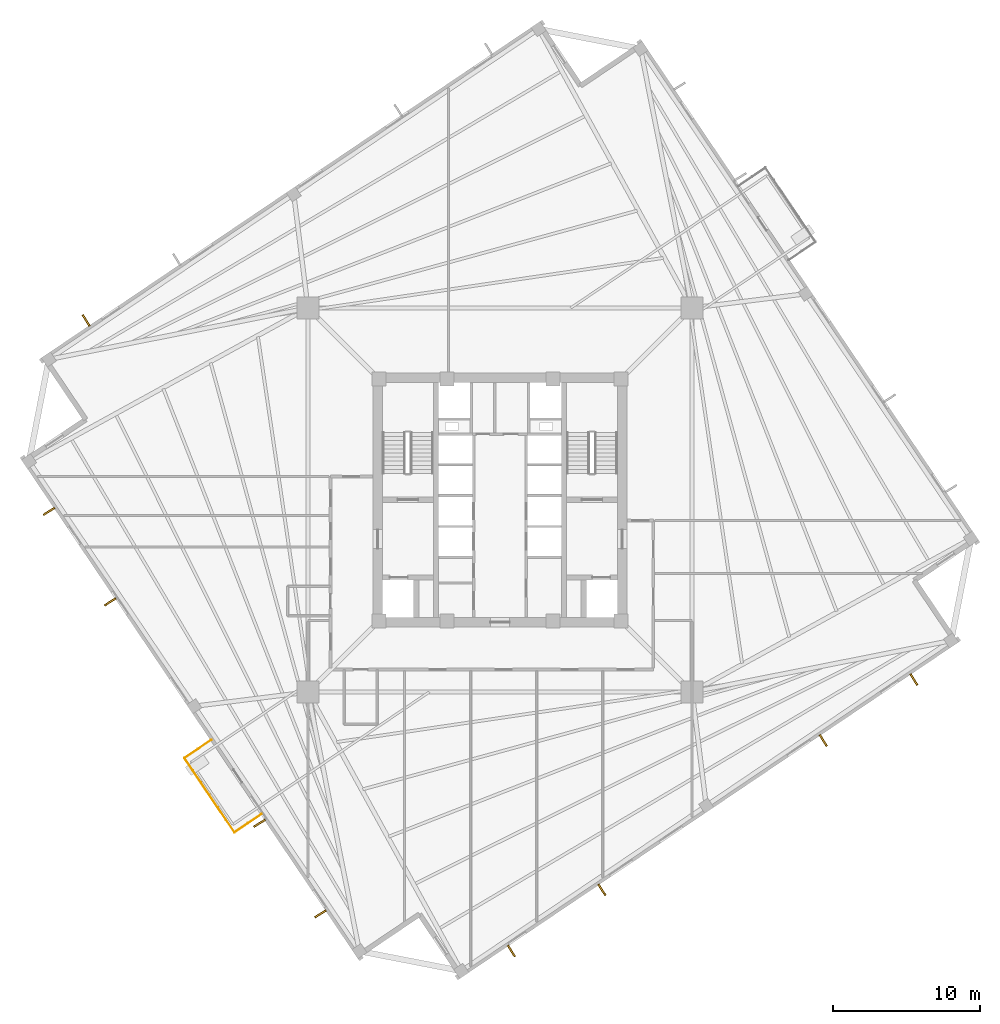
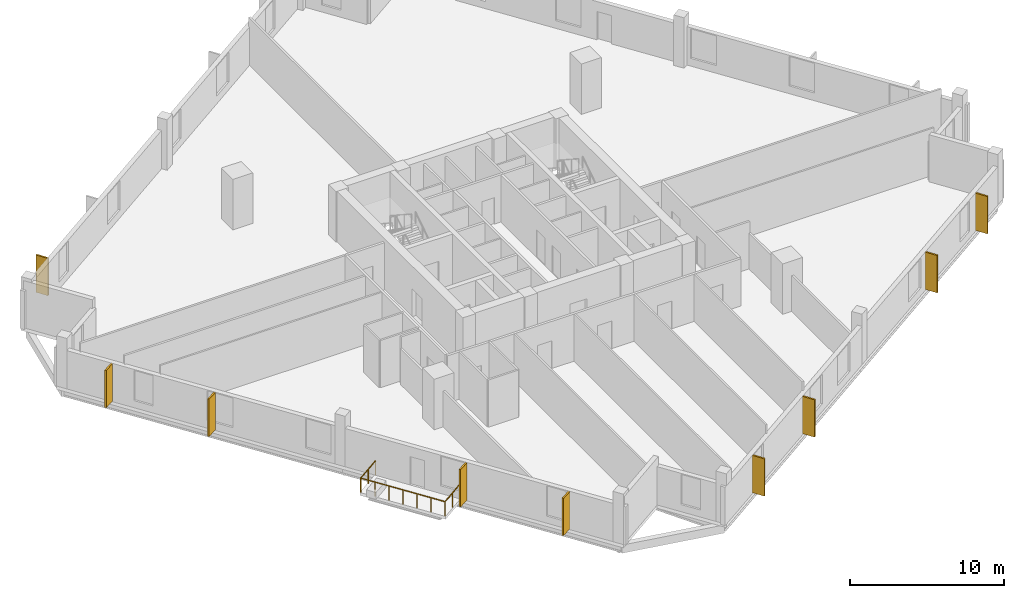
# One storey, part 7 of 9: 9 coverings, 3 railings.
"""IFC4 building model written with IfcOpenShell, lengths in metres."""

from ifc_helpers import new_model, si_unit, direction, frame, origin, origin_2d, place, context, subcontext, project, spatial, rectangle, circle, extrude, source, transform, mapped, material, layer, layer_set, type_object, element, save


model = new_model("IFC4")

# Units and contexts
model_context = context("Model", 3, precision=1e-05, world=origin(), true_north=direction((0.0, 1.0)))
body_context = subcontext(model_context, "Body", "Model", "MODEL_VIEW")
ifc_project = project(units=[si_unit("LENGTHUNIT", "METRE"), si_unit("AREAUNIT", "SQUARE_METRE"), si_unit("VOLUMEUNIT", "CUBIC_METRE"), si_unit("PLANEANGLEUNIT", "RADIAN"), si_unit("MASSUNIT", "GRAM", prefix="KILO"), si_unit("THERMODYNAMICTEMPERATUREUNIT", "KELVIN")], contexts=[model_context])

# Site, building, storey
site_placement = place(None, origin())
site = spatial("IfcSite", under=ifc_project, at=site_placement, CompositionType="ELEMENT")
building_placement = place(site_placement, origin())
building = spatial("IfcBuilding", under=site, at=building_placement, Name="Kosmvard Interchange Tower", CompositionType="ELEMENT")
storey_placement = place(building_placement, frame((0.0, 0.0, 156.39990234375)))
storey = spatial("IfcBuildingStorey", under=building, at=storey_placement, Name="L37", CompositionType="ELEMENT", Elevation=156.39990234375)

# Coverings
ifc_material_1 = material(Name="Architectural anodised aluminium", Category="aluminium")
ifc_layer = layer(ifc_material_1, 0.1201171875, Name="Architectural anodised aluminium")
ifc_layer_set = layer_set([ifc_layer], Name="Architectural anodised aluminium")
covering_type = type_object("IfcCoveringType", Name="Rotating Vertical Sun-Breaker Fin 900x120 Aluminium", PredefinedType="CLADDING", material=ifc_layer_set)
shared_shape_1 = source(origin(), body_context, "Body", "SweptSolid", [
    extrude(rectangle(XDim=0.89990234375, YDim=0.1201171875, at=origin_2d()), origin(), (0.0, 0.0, 1.0), 2.9599609375),
])
for number, where, z_axis, x_axis, name in (
    (1, (0.774169921875, -30.718994140625, 0.0400390625), (0.0, 0.0, 1.0), (0.536121488374, -0.844140835231, 0.0), "L37 Rotating Vertical Sun-Breaker Fin 01"),
    (2, (6.943115234375, -26.557861328125, 0.0400390625), (0.0, 0.0, 1.0), (0.536121488374, -0.844140835231, 0.0), "L37 Rotating Vertical Sun-Breaker Fin 02"),
    (3, (22.02294921875, -16.38623046875, 0.0400390625), (0.0, 0.0, 1.0), (0.536121488374, -0.844140835231, 0.0), "L37 Rotating Vertical Sun-Breaker Fin 03"),
    (4, (28.192138671875, -12.225341796875, 0.0400390625), (0.0, 0.0, 1.0), (0.536121488374, -0.844140835231, 0.0), "L37 Rotating Vertical Sun-Breaker Fin 04"),
    (5, (-28.192138671875, 12.225341796875, 0.0400390625), (0.0, 0.0, 1.0), (-0.536121488374, 0.844140835231, 0.0), "L37 Rotating Vertical Sun-Breaker Fin 12"),
    (6, (-30.718994140625, -0.774169921875, 0.0400390625), (0.0, 0.0, 1.0), (-0.844140835231, -0.536121488374, 0.0), "L37 Rotating Vertical Sun-Breaker Fin 13"),
    (7, (-26.557861328125, -6.943115234375, 0.0400390625), (0.0, 0.0, 1.0), (-0.844140835231, -0.536121488374, 0.0), "L37 Rotating Vertical Sun-Breaker Fin 14"),
    (8, (-16.38623046875, -22.02294921875, 0.0400390625), (0.0, 0.0, 1.0), (-0.844140835231, -0.536121488374, 0.0), "L37 Rotating Vertical Sun-Breaker Fin 15"),
    (9, (-12.225341796875, -28.192138671875, 0.0400390625), (0.0, 0.0, 1.0), (-0.844140835231, -0.536121488374, 0.0), "L37 Rotating Vertical Sun-Breaker Fin 16"),
):
    element("IfcCovering", number, at=place(storey_placement, frame(where, z_axis=z_axis, x_axis=x_axis)), inside=storey, type_object=covering_type, Name=name, PredefinedType="CLADDING", context=body_context, shape_type="MappedRepresentation", body=[
        mapped(shared_shape_1, transform((0.0, 0.0, 0.0), scale=1.0)),
    ])

# Railings
ifc_material_2 = material(Name="Steel S355", Category="steel")
railing_type = type_object("IfcRailingType", Name="Observation & Balcony Glass-Infill Balustrade 1150", PredefinedType="BALUSTRADE", material=ifc_material_2)
shared_shape_2 = source(origin(), body_context, "Body", "SweptSolid", [
    extrude(circle(Radius=0.02392578125, at=origin_2d()), frame((0.0, 0.0, 1.1259765625), z_axis=(0.829050594418, 0.559173597279, 0.0), x_axis=(-0.559173597279, 0.829050594418, 0.0)), (0.0, 0.0, 1.0), 2.2001953125),
    extrude(circle(Radius=0.02099609375, at=origin_2d()), origin(), (0.0, 0.0, 1.0), 1.101806640625),
    extrude(circle(Radius=0.02099609375, at=origin_2d()), frame((0.912109375, 0.615234375, 0.0)), (0.0, 0.0, 1.0), 1.101806640625),
    extrude(circle(Radius=0.02099609375, at=origin_2d()), frame((1.823974609375, 1.230224609375, 0.0)), (0.0, 0.0, 1.0), 1.101806640625),
])
railing_1_placement = place(storey_placement, frame((-18.0859375, -22.6328125, 0.0)))
element("IfcRailing", 10, at=railing_1_placement, inside=storey, type_object=railing_type, Name="L37 Outdoor Terrace Guard BAL-L37-W-C", PredefinedType="BALUSTRADE", context=body_context, shape_type="MappedRepresentation", body=[
    mapped(shared_shape_2, transform((0.0, 0.0, 0.0), scale=1.0)),
])
shared_shape_3 = source(origin(), body_context, "Body", "SweptSolid", [
    extrude(circle(Radius=0.02392578125, at=origin_2d()), frame((0.0, 0.0, 1.1259765625), z_axis=(-0.829050594418, -0.559173597279, 0.0), x_axis=(0.559173597279, -0.829050594418, 0.0)), (0.0, 0.0, 1.0), 2.2001953125),
    extrude(circle(Radius=0.02099609375, at=origin_2d()), origin(), (0.0, 0.0, 1.0), 1.101806640625),
    extrude(circle(Radius=0.02099609375, at=origin_2d()), frame((-0.912109375, -0.615234375, 0.0)), (0.0, 0.0, 1.0), 1.101806640625),
    extrude(circle(Radius=0.02099609375, at=origin_2d()), frame((-1.823974609375, -1.230224609375, 0.0)), (0.0, 0.0, 1.0), 1.101806640625),
])
railing_2_placement = place(storey_placement, frame((-19.673095703125, -16.345458984375, 0.0)))
element("IfcRailing", 11, at=railing_2_placement, inside=storey, type_object=railing_type, Name="L37 Outdoor Terrace Guard BAL-L37-W-A", PredefinedType="BALUSTRADE", context=body_context, shape_type="MappedRepresentation", body=[
    mapped(shared_shape_3, transform((0.0, 0.0, 0.0), scale=1.0)),
])
shared_shape_4 = source(origin(), body_context, "Body", "SweptSolid", [
    extrude(circle(Radius=0.02392578125, at=origin_2d()), frame((0.0, 0.0, 1.1259765625), z_axis=(0.55919924627, -0.829033294248, 0.0), x_axis=(0.829033294248, 0.55919924627, 0.0)), (0.0, 0.0, 1.0), 6.10009765625),
    extrude(circle(Radius=0.02099609375, at=origin_2d()), origin(), (0.0, 0.0, 1.0), 1.101806640625),
    extrude(circle(Radius=0.02099609375, at=origin_2d()), frame((0.568603515625, -0.8427734375, 0.0)), (0.0, 0.0, 1.0), 1.101806640625),
    extrude(circle(Radius=0.02099609375, at=origin_2d()), frame((1.136962890625, -1.685791015625, 0.0)), (0.0, 0.0, 1.0), 1.101806640625),
    extrude(circle(Radius=0.02099609375, at=origin_2d()), frame((1.70556640625, -2.528564453125, 0.0)), (0.0, 0.0, 1.0), 1.101806640625),
    extrude(circle(Radius=0.02099609375, at=origin_2d()), frame((2.274169921875, -3.371337890625, 0.0)), (0.0, 0.0, 1.0), 1.101806640625),
    extrude(circle(Radius=0.02099609375, at=origin_2d()), frame((2.842529296875, -4.21435546875, 0.0)), (0.0, 0.0, 1.0), 1.101806640625),
    extrude(circle(Radius=0.02099609375, at=origin_2d()), frame((3.4111328125, -5.05712890625, 0.0)), (0.0, 0.0, 1.0), 1.101806640625),
])
railing_3_placement = place(storey_placement, frame((-21.4970703125, -17.57568359375, 0.0)))
element("IfcRailing", 12, at=railing_3_placement, inside=storey, type_object=railing_type, Name="L37 Outdoor Terrace Guard BAL-L37-W-B", PredefinedType="BALUSTRADE", context=body_context, shape_type="MappedRepresentation", body=[
    mapped(shared_shape_4, transform((0.0, 0.0, 0.0), scale=1.0)),
])

save(model, "model.ifc")
